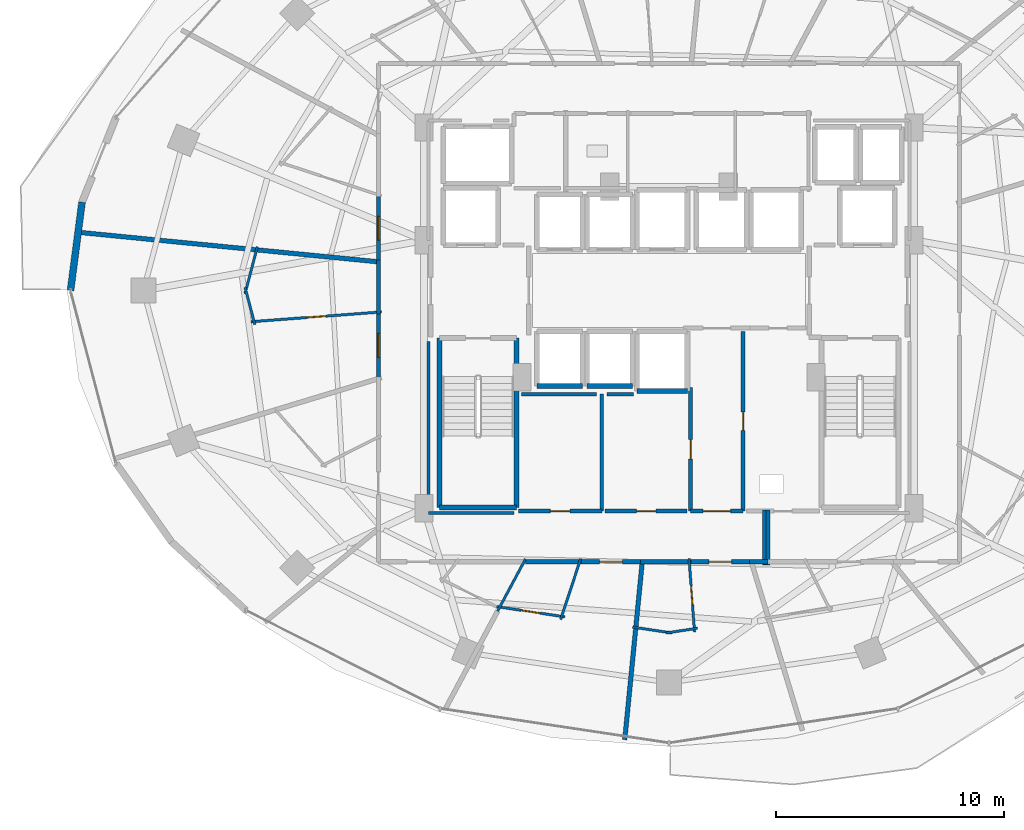
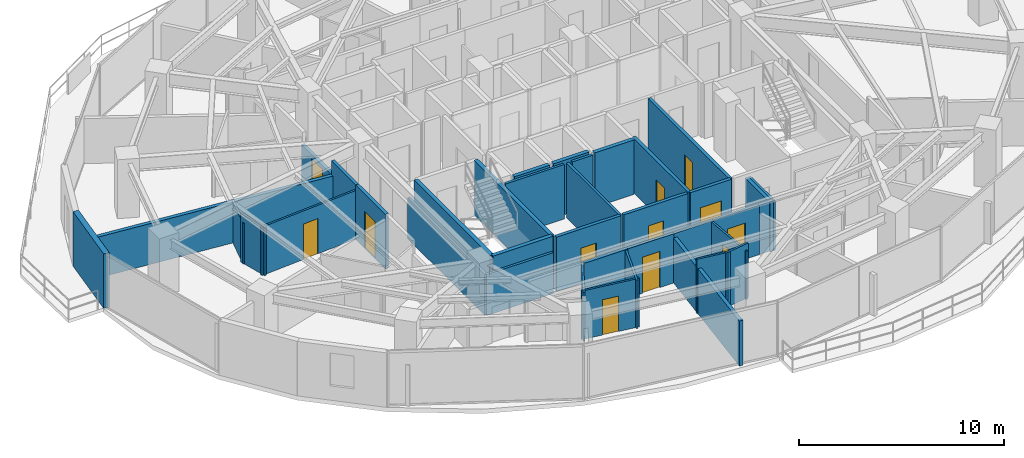
# One storey, part 21 of 29: 38 walls, 12 doors, 12 openings.
"""IFC4 building model written with IfcOpenShell, lengths in metres."""

from ifc_helpers import new_model, si_unit, direction, frame, frame_2d, origin, place, context, subcontext, project, spatial, rectangle, extrude, material, layer, layer_set, type_object, element, fill, save


model = new_model("IFC4")

# Units and contexts
model_context = context("Model", 3, precision=1e-05, world=origin(), true_north=direction((0.0, 1.0)))
body_context = subcontext(model_context, "Body", "Model", "MODEL_VIEW")
ifc_project = project(units=[si_unit("LENGTHUNIT", "METRE"), si_unit("AREAUNIT", "SQUARE_METRE"), si_unit("VOLUMEUNIT", "CUBIC_METRE"), si_unit("PLANEANGLEUNIT", "RADIAN"), si_unit("MASSUNIT", "GRAM", prefix="KILO")], contexts=[model_context])

# Site, building, storey
site_placement = place(None, origin())
site = spatial("IfcSite", under=ifc_project, at=site_placement, CompositionType="ELEMENT")
building_placement = place(site_placement, origin())
building = spatial("IfcBuilding", under=site, at=building_placement, Name="Vorneva Point Tower", CompositionType="ELEMENT")
storey_placement = place(building_placement, frame((0.0, 0.0, 113.800048828125)))
storey = spatial("IfcBuildingStorey", under=building, at=storey_placement, Name="L30", CompositionType="ELEMENT", Elevation=113.800048828125)

# Walls
ifc_material_1 = material(Name="Precast concrete B50 (C40/50)", Category="concrete")
ifc_layer_1 = layer(ifc_material_1, 0.300048828125)
ifc_layer_set_1 = layer_set([ifc_layer_1], Name="Precast concrete B50 (C40/50)")
wall_type_1 = type_object("IfcWallType", Name="WL-EXT-300", PredefinedType="STANDARD", material=ifc_layer_set_1)
wall_1_placement = place(storey_placement, frame((12.25439453125, 29.87255859375, 0.0), z_axis=(0.0, 0.0, 1.0), x_axis=(-0.129157444793, -0.991624099372, 0.0)))
element("IfcWall", 1, at=wall_1_placement, inside=storey, type_object=wall_type_1, Name="L30 Pale-Metal Facade Spandrel Wall 08.2", PredefinedType="STANDARD", context=body_context, shape_type="SweptSolid", body=[
    extrude(rectangle(XDim=3.9052734375, YDim=0.300048828125, at=frame_2d((1.95263671875, 0.0))), origin(), (0.0, 0.0, 1.0), 3.239990234375),
])
ifc_material_2 = material(Name="Fire-rated acoustic gypsum stud partition", Category="gypsum")
ifc_layer_2 = layer(ifc_material_2, 0.110107421875)
ifc_layer_set_2 = layer_set([ifc_layer_2], Name="Fire-rated acoustic gypsum stud partition")
wall_type_2 = type_object("IfcWallType", Name="WL-PART-110", PredefinedType="PARTITIONING", material=ifc_layer_set_2)
wall_2_placement = place(storey_placement, frame((19.83349609375, 24.503662109375, 0.0), z_axis=(0.0, 0.0, 1.0), x_axis=(-0.254365100164, 0.967108264787, 0.0)))
element("IfcWall", 2, at=wall_2_placement, inside=storey, type_object=wall_type_2, Name="L30 Interior Partition 085", PredefinedType="PARTITIONING", context=body_context, shape_type="SweptSolid", body=[
    extrude(rectangle(XDim=1.687255859375, YDim=0.110107421875, at=frame_2d((0.84375, 0.0))), origin(), (0.0, 0.0, 1.0), 2.885986328125),
])
wall_3_placement = place(storey_placement, frame((19.404296875, 25.864501953125, 0.0), z_axis=(0.0, 0.0, 1.0), x_axis=(0.254504620934, 0.967071557809, 0.0)))
element("IfcWall", 3, at=wall_3_placement, inside=storey, type_object=wall_type_2, Name="L30 Interior Partition 086", PredefinedType="PARTITIONING", context=body_context, shape_type="SweptSolid", body=[
    extrude(rectangle(XDim=2.122802734375, YDim=0.110107421875, at=frame_2d((1.0615234375, 0.0))), origin(), (0.0, 0.0, 1.0), 2.431884765625),
])

# Wall, opening, door
wall_4_placement = place(storey_placement, frame((25.3896484375, 25.057373046875, 0.0), z_axis=(0.0, 0.0, 1.0), x_axis=(-0.997213943518, -0.074594576563, 0.0)))
wall_4 = element("IfcWall", 4, at=wall_4_placement, inside=storey, type_object=wall_type_2, Name="L30 Interior Partition 087", PredefinedType="PARTITIONING", context=body_context, shape_type="SweptSolid", body=[
    extrude(rectangle(XDim=5.747314453125, YDim=0.110107421875, at=frame_2d((2.87353515625, 0.0))), origin(), (0.0, 0.0, 1.0), 2.885986328125),
])
opening_1_placement = place(wall_4_placement, frame((2.448486328125, 0.0, 0.0)))
opening_1 = element("IfcOpeningElement", 5, at=opening_1_placement, cuts=wall_4, Name="Opening ID-02", PredefinedType="OPENING", context=body_context, shape_type="SweptSolid", body=[
    extrude(rectangle(XDim=0.85009765625, YDim=2.10009765625, at=frame_2d((0.425048828125, 1.050048828125))), frame((0.0, 0.06982421875, 0.0), z_axis=(0.0, -1.0, 0.0), x_axis=(1.0, 0.0, 0.0)), (0.0, 0.0, 1.0), 0.139892578125),
])
ifc_material_3 = material(Name="Engineered oak fire-rated door leaf", Category="wood")
door_type_1 = type_object("IfcDoorType", Name="DR-BATH-850", OperationType="NOTDEFINED", PredefinedType="DOOR", material=ifc_material_3)
door_1_placement = place(opening_1_placement, origin())
door_1 = element("IfcDoor", 6, at=door_1_placement, inside=storey, type_object=door_type_1, Name="L30 Door Junior Suite L30-08 / En-Suite Bathroom L30-08", OperationType="SINGLE_SWING_RIGHT", OverallHeight=2.10009765625, OverallWidth=0.85009765625, PredefinedType="DOOR", context=body_context, shape_type="SweptSolid", body=[
    extrude(rectangle(XDim=0.85009765625, YDim=2.10009765625, at=frame_2d((0.425048828125, 1.050048828125))), frame((0.0, 0.02490234375, 0.0), z_axis=(0.0, -1.0, 0.0), x_axis=(1.0, 0.0, 0.0)), (0.0, 0.0, 1.0), 0.050048828125),
])
fill(opening_1, door_1)

# Wall
wall_5_placement = place(storey_placement, frame((30.48095703125, 11.93359375, 0.0), z_axis=(0.0, 0.0, 1.0), x_axis=(0.471456709401, 0.881889205718, 0.0)))
element("IfcWall", 7, at=wall_5_placement, inside=storey, type_object=wall_type_2, Name="L30 Interior Partition 095", PredefinedType="PARTITIONING", context=body_context, shape_type="SweptSolid", body=[
    extrude(rectangle(XDim=2.596435546875, YDim=0.110107421875, at=frame_2d((1.29833984375, 0.0))), origin(), (0.0, 0.0, 1.0), 2.885986328125),
])

# Wall, opening, door
wall_6_placement = place(storey_placement, frame((33.431396484375, 11.68310546875, 0.0), z_axis=(0.0, 0.0, 1.0), x_axis=(-0.988849795555, 0.148916358508, 0.0)))
wall_6 = element("IfcWall", 8, at=wall_6_placement, inside=storey, type_object=wall_type_2, Name="L30 Interior Partition 097", PredefinedType="PARTITIONING", context=body_context, shape_type="SweptSolid", body=[
    extrude(rectangle(XDim=3.0263671875, YDim=0.110107421875, at=frame_2d((1.51318359375, 0.0))), origin(), (0.0, 0.0, 1.0), 2.885986328125),
])
opening_2_placement = place(wall_6_placement, frame((1.08837890625, 0.0, 0.0)))
opening_2 = element("IfcOpeningElement", 9, at=opening_2_placement, cuts=wall_6, Name="Opening ID-02", PredefinedType="OPENING", context=body_context, shape_type="SweptSolid", body=[
    extrude(rectangle(XDim=0.85009765625, YDim=2.10009765625, at=frame_2d((0.425048828125, 1.050048828125))), frame((0.0, 0.06982421875, 0.0), z_axis=(0.0, -1.0, 0.0), x_axis=(1.0, 0.0, 0.0)), (0.0, 0.0, 1.0), 0.139892578125),
])
door_2_placement = place(opening_2_placement, origin())
door_2 = element("IfcDoor", 10, at=door_2_placement, inside=storey, type_object=door_type_1, Name="L30 Door Deluxe Guest Room L30-11 / En-Suite Bathroom L30-11", OperationType="SINGLE_SWING_LEFT", OverallHeight=2.10009765625, OverallWidth=0.85009765625, PredefinedType="DOOR", context=body_context, shape_type="SweptSolid", body=[
    extrude(rectangle(XDim=0.85009765625, YDim=2.10009765625, at=frame_2d((0.425048828125, 1.050048828125))), frame((0.0, 0.02490234375, 0.0), z_axis=(0.0, -1.0, 0.0), x_axis=(1.0, 0.0, 0.0)), (0.0, 0.0, 1.0), 0.050048828125),
])
fill(opening_2, door_2)

# Walls
wall_7_placement = place(storey_placement, frame((34.125732421875, 14.23291015625, 0.0), z_axis=(0.0, 0.0, 1.0), x_axis=(-0.312749678962, -0.949835584882, 0.0)))
element("IfcWall", 11, at=wall_7_placement, inside=storey, type_object=wall_type_2, Name="L30 Interior Partition 098", PredefinedType="PARTITIONING", context=body_context, shape_type="SweptSolid", body=[
    extrude(rectangle(XDim=2.802490234375, YDim=0.110107421875, at=frame_2d((1.4013671875, 0.0))), origin(), (0.0, 0.0, 1.0), 2.885986328125),
])
wall_8_placement = place(storey_placement, frame((39.247314453125, 11.183837890625, 0.0), z_axis=(0.0, 0.0, 1.0), x_axis=(-0.988844156702, -0.148953797389, 0.0)))
element("IfcWall", 12, at=wall_8_placement, inside=storey, type_object=wall_type_2, Name="L30 Interior Partition 100", PredefinedType="PARTITIONING", context=body_context, shape_type="SweptSolid", body=[
    extrude(rectangle(XDim=1.4013671875, YDim=0.110107421875, at=frame_2d((0.70068359375, 0.0))), origin(), (0.0, 0.0, 1.0), 3.239990234375),
])
wall_9_placement = place(storey_placement, frame((38.138427734375, 10.97509765625, 0.0), z_axis=(0.0, 0.0, 1.0), x_axis=(-0.988868806461, 0.148790065554, 0.0)))
element("IfcWall", 13, at=wall_9_placement, inside=storey, type_object=wall_type_2, Name="L30 Interior Partition 101", PredefinedType="PARTITIONING", context=body_context, shape_type="SweptSolid", body=[
    extrude(rectangle(XDim=1.75244140625, YDim=0.110107421875, at=frame_2d((0.876220703125, 0.0))), origin(), (0.0, 0.0, 1.0), 3.239990234375),
])

# Wall, opening, door
wall_10_placement = place(storey_placement, frame((38.879638671875, 14.239501953125, 0.0), z_axis=(0.0, 0.0, 1.0), x_axis=(0.074340146514, -0.997232943006, 0.0)))
wall_10 = element("IfcWall", 14, at=wall_10_placement, inside=storey, type_object=wall_type_2, Name="L30 Interior Partition 102", PredefinedType="PARTITIONING", context=body_context, shape_type="SweptSolid", body=[
    extrude(rectangle(XDim=3.22509765625, YDim=0.110107421875, at=frame_2d((1.612548828125, 0.0))), origin(), (0.0, 0.0, 1.0), 2.885986328125),
])
opening_3_placement = place(wall_10_placement, frame((1.1875, 0.0, 0.0)))
opening_3 = element("IfcOpeningElement", 15, at=opening_3_placement, cuts=wall_10, Name="Opening ID-02", PredefinedType="OPENING", context=body_context, shape_type="SweptSolid", body=[
    extrude(rectangle(XDim=0.85009765625, YDim=2.10009765625, at=frame_2d((0.425048828125, 1.050048828125))), frame((0.0, 0.06982421875, 0.0), z_axis=(0.0, -1.0, 0.0), x_axis=(1.0, 0.0, 0.0)), (0.0, 0.0, 1.0), 0.139892578125),
])
door_3_placement = place(opening_3_placement, origin())
door_3 = element("IfcDoor", 16, at=door_3_placement, inside=storey, type_object=door_type_1, Name="L30 Door King Guest Room L30-12 / En-Suite Bathroom L30-12", OperationType="SINGLE_SWING_RIGHT", OverallHeight=2.10009765625, OverallWidth=0.85009765625, PredefinedType="DOOR", context=body_context, shape_type="SweptSolid", body=[
    extrude(rectangle(XDim=0.85009765625, YDim=2.10009765625, at=frame_2d((0.425048828125, 1.050048828125))), frame((0.0, 0.02490234375, 0.0), z_axis=(0.0, -1.0, 0.0), x_axis=(1.0, 0.0, 0.0)), (0.0, 0.0, 1.0), 0.050048828125),
])
fill(opening_3, door_3)

# Walls
ifc_layer_3 = layer(ifc_material_2, 0.139892578125)
ifc_layer_set_3 = layer_set([ifc_layer_3], Name="Fire-rated acoustic gypsum stud partition")
wall_type_3 = type_object("IfcWallType", Name="WL-PART-140", PredefinedType="PARTITIONING", material=ifc_layer_set_3)
wall_11_placement = place(storey_placement, frame((35.050048828125, 16.320068359375, 0.0), z_axis=(0.0, 0.0, 1.0), x_axis=(0.0, 1.0, 0.0)))
element("IfcWall", 17, at=wall_11_placement, inside=storey, type_object=wall_type_3, Name="L30 Interior Partition 021", PredefinedType="PARTITIONING", context=body_context, shape_type="SweptSolid", body=[
    extrude(rectangle(XDim=5.1298828125, YDim=0.139892578125, at=frame_2d((2.56494140625, 0.0))), origin(), (0.0, 0.0, 1.0), 3.239990234375),
])
wall_12_placement = place(storey_placement, frame((34.830078125, 21.449951171875, 0.0), z_axis=(0.0, 0.0, 1.0), x_axis=(-1.0, 0.0, 0.0)))
element("IfcWall", 18, at=wall_12_placement, inside=storey, type_object=wall_type_3, Name="L30 Interior Closure Partition 118", PredefinedType="PARTITIONING", context=body_context, shape_type="SweptSolid", body=[
    extrude(rectangle(XDim=3.300048828125, YDim=0.139892578125, at=frame_2d((1.64990234375, 0.0))), origin(), (0.0, 0.0, 1.0), 3.239990234375),
])
wall_13_placement = place(storey_placement, frame((36.43896484375, 21.449951171875, 0.0), z_axis=(0.0, 0.0, 1.0), x_axis=(-1.0, 0.0, 0.0)))
element("IfcWall", 19, at=wall_13_placement, inside=storey, type_object=wall_type_3, Name="L30 Interior Closure Partition 119", PredefinedType="PARTITIONING", context=body_context, shape_type="SweptSolid", body=[
    extrude(rectangle(XDim=1.158935546875, YDim=0.139892578125, at=frame_2d((0.57958984375, 0.0))), origin(), (0.0, 0.0, 1.0), 3.239990234375),
])
wall_14_placement = place(storey_placement, frame((31.195068359375, 16.239990234375, 0.0), z_axis=(0.0, 0.0, 1.0), x_axis=(-1.0, 0.0, 0.0)))
element("IfcWall", 20, at=wall_14_placement, inside=storey, type_object=wall_type_3, Name="L30 Interior Closure Partition 124", PredefinedType="PARTITIONING", context=body_context, shape_type="SweptSolid", body=[
    extrude(rectangle(XDim=3.7451171875, YDim=0.139892578125, at=frame_2d((1.87255859375, 0.0))), origin(), (0.0, 0.0, 1.0), 2.431884765625),
])
wall_15_placement = place(storey_placement, frame((27.449951171875, 16.239990234375, 0.0), z_axis=(0.0, 0.0, 1.0), x_axis=(0.0, 1.0, 0.0)))
element("IfcWall", 21, at=wall_15_placement, inside=storey, type_object=wall_type_3, Name="L30 Interior Closure Partition 125", PredefinedType="PARTITIONING", context=body_context, shape_type="SweptSolid", body=[
    extrude(rectangle(XDim=7.513916015625, YDim=0.139892578125, at=frame_2d((3.7568359375, 0.0))), origin(), (0.0, 0.0, 1.0), 2.431884765625),
])

# Wall, opening, door
ifc_material_4 = material(Name="Autoclaved aerated concrete blockwork", Category="masonry")
ifc_layer_4 = layer(ifc_material_4, 0.179931640625)
ifc_layer_set_4 = layer_set([ifc_layer_4], Name="Autoclaved aerated concrete blockwork")
wall_type_4 = type_object("IfcWallType", Name="WL-PART-180", PredefinedType="PARTITIONING", material=ifc_layer_set_4)
wall_16_placement = place(storey_placement, frame((41.25, 16.320068359375, 0.0), z_axis=(0.0, 0.0, 1.0), x_axis=(0.0, 1.0, 0.0)))
wall_16 = element("IfcWall", 22, at=wall_16_placement, inside=storey, type_object=wall_type_4, Name="L30 Interior Partition 011", PredefinedType="PARTITIONING", context=body_context, shape_type="SweptSolid", body=[
    extrude(rectangle(XDim=7.8798828125, YDim=0.179931640625, at=frame_2d((3.93994140625, 0.0))), origin(), (0.0, 0.0, 1.0), 3.239990234375),
])
opening_4_placement = place(wall_16_placement, frame((3.5400390625, 0.0, 0.0)))
opening_4 = element("IfcOpeningElement", 23, at=opening_4_placement, cuts=wall_16, Name="Opening RD-01", PredefinedType="OPENING", context=body_context, shape_type="SweptSolid", body=[
    extrude(rectangle(XDim=0.800048828125, YDim=2.050048828125, at=frame_2d((0.39990234375, 1.02490234375))), frame((0.0, 0.10498046875, 0.0), z_axis=(0.0, -1.0, 0.0), x_axis=(1.0, 0.0, 0.0)), (0.0, 0.0, 1.0), 0.209716796875),
])
ifc_material_5 = material(Name="Fire-rated powder-coated steel", Category="steel")
door_type_2 = type_object("IfcDoorType", Name="DR-RSR-800", OperationType="SINGLE_SWING_LEFT", PredefinedType="DOOR", material=ifc_material_5)
door_4_placement = place(opening_4_placement, origin())
door_4 = element("IfcDoor", 24, at=door_4_placement, inside=storey, type_object=door_type_2, Name="L30 Door Core Service Lobby / Electrical Riser", OperationType="SINGLE_SWING_LEFT", OverallHeight=2.050048828125, OverallWidth=0.800048828125, PredefinedType="DOOR", context=body_context, shape_type="SweptSolid", body=[
    extrude(rectangle(XDim=0.800048828125, YDim=2.050048828125, at=frame_2d((0.39990234375, 1.02490234375))), frame((0.0, 0.02490234375, 0.0), z_axis=(0.0, -1.0, 0.0), x_axis=(1.0, 0.0, 0.0)), (0.0, 0.0, 1.0), 0.050048828125),
])
fill(opening_4, door_4)

wall_17_placement = place(storey_placement, frame((38.949951171875, 21.7548828125, 0.0), z_axis=(0.0, 0.0, 1.0), x_axis=(0.0, -1.0, 0.0)))
wall_17 = element("IfcWall", 25, at=wall_17_placement, inside=storey, type_object=wall_type_4, Name="L30 Interior Partition 012", PredefinedType="PARTITIONING", context=body_context, shape_type="SweptSolid", body=[
    extrude(rectangle(XDim=5.434814453125, YDim=0.179931640625, at=frame_2d((2.71728515625, 0.0))), origin(), (0.0, 0.0, 1.0), 3.239990234375),
])
opening_5_placement = place(wall_17_placement, frame((2.29248046875, 0.0, 0.0)))
opening_5 = element("IfcOpeningElement", 26, at=opening_5_placement, cuts=wall_17, Name="Opening ID-02", PredefinedType="OPENING", context=body_context, shape_type="SweptSolid", body=[
    extrude(rectangle(XDim=0.85009765625, YDim=2.10009765625, at=frame_2d((0.425048828125, 1.050048828125))), frame((0.0, 0.10498046875, 0.0), z_axis=(0.0, -1.0, 0.0), x_axis=(1.0, 0.0, 0.0)), (0.0, 0.0, 1.0), 0.209716796875),
])
door_5_placement = place(opening_5_placement, origin())
door_5 = element("IfcDoor", 27, at=door_5_placement, inside=storey, type_object=door_type_1, Name="L30 Door Core Service Lobby / Linen Store", OperationType="SINGLE_SWING_RIGHT", OverallHeight=2.10009765625, OverallWidth=0.85009765625, PredefinedType="DOOR", context=body_context, shape_type="SweptSolid", body=[
    extrude(rectangle(XDim=0.85009765625, YDim=2.10009765625, at=frame_2d((0.425048828125, 1.050048828125))), frame((0.0, 0.02490234375, 0.0), z_axis=(0.0, -1.0, 0.0), x_axis=(1.0, 0.0, 0.0)), (0.0, 0.0, 1.0), 0.050048828125),
])
fill(opening_5, door_5)

wall_18_placement = place(storey_placement, frame((38.949951171875, 16.320068359375, 0.0), z_axis=(0.0, 0.0, 1.0), x_axis=(1.0, 0.0, 0.0)))
wall_18 = element("IfcWall", 28, at=wall_18_placement, inside=storey, type_object=wall_type_4, Name="L30 Interior Partition 013", PredefinedType="PARTITIONING", context=body_context, shape_type="SweptSolid", body=[
    extrude(rectangle(XDim=2.300048828125, YDim=0.179931640625, at=frame_2d((1.14990234375, 0.0))), origin(), (0.0, 0.0, 1.0), 3.239990234375),
])
opening_6_placement = place(wall_18_placement, frame((0.550048828125, 0.0, 0.0)))
opening_6 = element("IfcOpeningElement", 29, at=opening_6_placement, cuts=wall_18, Name="Opening FD-02", PredefinedType="OPENING", context=body_context, shape_type="SweptSolid", body=[
    extrude(rectangle(XDim=1.199951171875, YDim=2.14990234375, at=frame_2d((0.60009765625, 1.074951171875))), frame((0.0, 0.10498046875, 0.0), z_axis=(0.0, -1.0, 0.0), x_axis=(1.0, 0.0, 0.0)), (0.0, 0.0, 1.0), 0.209716796875),
])
door_type_3 = type_object("IfcDoorType", Name="DR-FFL-1200", OperationType="NOTDEFINED", PredefinedType="DOOR", material=ifc_material_5)
door_6_placement = place(opening_6_placement, origin())
door_6 = element("IfcDoor", 30, at=door_6_placement, inside=storey, type_object=door_type_3, Name="L30 Door Core Service Lobby / L30 Circulation Corridor", OperationType="SINGLE_SWING_LEFT", OverallHeight=2.14990234375, OverallWidth=1.199951171875, PredefinedType="DOOR", context=body_context, shape_type="SweptSolid", body=[
    extrude(rectangle(XDim=1.199951171875, YDim=2.14990234375, at=frame_2d((0.60009765625, 1.074951171875))), frame((0.0, 0.02490234375, 0.0), z_axis=(0.0, -1.0, 0.0), x_axis=(1.0, 0.0, 0.0)), (0.0, 0.0, 1.0), 0.050048828125),
])
fill(opening_6, door_6)

wall_19_placement = place(storey_placement, frame((31.39990234375, 16.320068359375, 0.0), z_axis=(0.0, 0.0, 1.0), x_axis=(1.0, 0.0, 0.0)))
wall_19 = element("IfcWall", 31, at=wall_19_placement, inside=storey, type_object=wall_type_4, Name="L30 Interior Partition 022", PredefinedType="PARTITIONING", context=body_context, shape_type="SweptSolid", body=[
    extrude(rectangle(XDim=3.650146484375, YDim=0.179931640625, at=frame_2d((1.8251953125, 0.0))), origin(), (0.0, 0.0, 1.0), 3.239990234375),
])
opening_7_placement = place(wall_19_placement, frame((1.39990234375, 0.0, 0.0)))
opening_7 = element("IfcOpeningElement", 32, at=opening_7_placement, cuts=wall_19, Name="Opening ID-02", PredefinedType="OPENING", context=body_context, shape_type="SweptSolid", body=[
    extrude(rectangle(XDim=0.85009765625, YDim=2.10009765625, at=frame_2d((0.425048828125, 1.050048828125))), frame((0.0, 0.10498046875, 0.0), z_axis=(0.0, -1.0, 0.0), x_axis=(1.0, 0.0, 0.0)), (0.0, 0.0, 1.0), 0.209716796875),
])
door_7_placement = place(opening_7_placement, origin())
door_7 = element("IfcDoor", 33, at=door_7_placement, inside=storey, type_object=door_type_1, Name="L30 Door Housekeeping Room / L30 Circulation Corridor", OperationType="SINGLE_SWING_RIGHT", OverallHeight=2.10009765625, OverallWidth=0.85009765625, PredefinedType="DOOR", context=body_context, shape_type="SweptSolid", body=[
    extrude(rectangle(XDim=0.85009765625, YDim=2.10009765625, at=frame_2d((0.425048828125, 1.050048828125))), frame((0.0, 0.02490234375, 0.0), z_axis=(0.0, -1.0, 0.0), x_axis=(1.0, 0.0, 0.0)), (0.0, 0.0, 1.0), 0.050048828125),
])
fill(opening_7, door_7)

wall_20_placement = place(storey_placement, frame((35.199951171875, 16.320068359375, 0.0), z_axis=(0.0, 0.0, 1.0), x_axis=(1.0, 0.0, 0.0)))
wall_20 = element("IfcWall", 34, at=wall_20_placement, inside=storey, type_object=wall_type_4, Name="L30 Interior Partition 023", PredefinedType="PARTITIONING", context=body_context, shape_type="SweptSolid", body=[
    extrude(rectangle(XDim=3.60009765625, YDim=0.179931640625, at=frame_2d((1.800048828125, 0.0))), origin(), (0.0, 0.0, 1.0), 3.239990234375),
])
opening_8_placement = place(wall_20_placement, frame((1.375, 0.0, 0.0)))
opening_8 = element("IfcOpeningElement", 35, at=opening_8_placement, cuts=wall_20, Name="Opening ID-02", PredefinedType="OPENING", context=body_context, shape_type="SweptSolid", body=[
    extrude(rectangle(XDim=0.85009765625, YDim=2.10009765625, at=frame_2d((0.425048828125, 1.050048828125))), frame((0.0, 0.10498046875, 0.0), z_axis=(0.0, -1.0, 0.0), x_axis=(1.0, 0.0, 0.0)), (0.0, 0.0, 1.0), 0.209716796875),
])
door_8_placement = place(opening_8_placement, origin())
door_8 = element("IfcDoor", 36, at=door_8_placement, inside=storey, type_object=door_type_1, Name="L30 Door Linen Store / L30 Circulation Corridor", OperationType="SINGLE_SWING_LEFT", OverallHeight=2.10009765625, OverallWidth=0.85009765625, PredefinedType="DOOR", context=body_context, shape_type="SweptSolid", body=[
    extrude(rectangle(XDim=0.85009765625, YDim=2.10009765625, at=frame_2d((0.425048828125, 1.050048828125))), frame((0.0, 0.02490234375, 0.0), z_axis=(0.0, -1.0, 0.0), x_axis=(1.0, 0.0, 0.0)), (0.0, 0.0, 1.0), 0.050048828125),
])
fill(opening_8, door_8)

wall_21_placement = place(storey_placement, frame((25.25, 30.260986328125, 0.0), z_axis=(0.0, 0.0, 1.0), x_axis=(0.0, -1.0, 0.0)))
wall_21 = element("IfcWall", 37, at=wall_21_placement, inside=storey, type_object=wall_type_4, Name="L30 Interior Partition 038", PredefinedType="PARTITIONING", context=body_context, shape_type="SweptSolid", body=[
    extrude(rectangle(XDim=3.06494140625, YDim=0.179931640625, at=frame_2d((1.532470703125, 0.0))), origin(), (0.0, 0.0, 1.0), 2.431884765625),
])
opening_9_placement = place(wall_21_placement, frame((1.007568359375, 0.0, 0.0)))
opening_9 = element("IfcOpeningElement", 38, at=opening_9_placement, cuts=wall_21, Name="Opening UD-02", PredefinedType="OPENING", context=body_context, shape_type="SweptSolid", body=[
    extrude(rectangle(XDim=1.050048828125, YDim=2.199951171875, at=frame_2d((0.52490234375, 1.10009765625))), frame((0.0, 0.10498046875, 0.0), z_axis=(0.0, -1.0, 0.0), x_axis=(1.0, 0.0, 0.0)), (0.0, 0.0, 1.0), 0.209716796875),
])
door_type_4 = type_object("IfcDoorType", Name="DR-SUITE-1050", OperationType="NOTDEFINED", PredefinedType="DOOR", material=ifc_material_3)
door_9_placement = place(opening_9_placement, origin())
door_9 = element("IfcDoor", 39, at=door_9_placement, inside=storey, type_object=door_type_4, Name="L30 Door L30 Circulation Corridor / Corner Suite L30-07", OperationType="SINGLE_SWING_RIGHT", OverallHeight=2.199951171875, OverallWidth=1.050048828125, PredefinedType="DOOR", context=body_context, shape_type="SweptSolid", body=[
    extrude(rectangle(XDim=1.050048828125, YDim=2.199951171875, at=frame_2d((0.52490234375, 1.10009765625))), frame((0.0, 0.02490234375, 0.0), z_axis=(0.0, -1.0, 0.0), x_axis=(1.0, 0.0, 0.0)), (0.0, 0.0, 1.0), 0.050048828125),
])
fill(opening_9, door_9)

wall_22_placement = place(storey_placement, frame((25.25, 25.10693359375, 0.0), z_axis=(0.0, 0.0, 1.0), x_axis=(0.0, -1.0, 0.0)))
wall_22 = element("IfcWall", 40, at=wall_22_placement, inside=storey, type_object=wall_type_4, Name="L30 Interior Partition 040", PredefinedType="PARTITIONING", context=body_context, shape_type="SweptSolid", body=[
    extrude(rectangle(XDim=3.037841796875, YDim=0.179931640625, at=frame_2d((1.51904296875, 0.0))), origin(), (0.0, 0.0, 1.0), 3.239990234375),
])
opening_10_placement = place(wall_22_placement, frame((0.993896484375, 0.0, 0.0)))
opening_10 = element("IfcOpeningElement", 41, at=opening_10_placement, cuts=wall_22, Name="Opening UD-02", PredefinedType="OPENING", context=body_context, shape_type="SweptSolid", body=[
    extrude(rectangle(XDim=1.050048828125, YDim=2.199951171875, at=frame_2d((0.52490234375, 1.10009765625))), frame((0.0, 0.10498046875, 0.0), z_axis=(0.0, -1.0, 0.0), x_axis=(1.0, 0.0, 0.0)), (0.0, 0.0, 1.0), 0.209716796875),
])
door_10_placement = place(opening_10_placement, origin())
door_10 = element("IfcDoor", 42, at=door_10_placement, inside=storey, type_object=door_type_4, Name="L30 Door L30 Circulation Corridor / Junior Suite L30-08", OperationType="SINGLE_SWING_LEFT", OverallHeight=2.199951171875, OverallWidth=1.050048828125, PredefinedType="DOOR", context=body_context, shape_type="SweptSolid", body=[
    extrude(rectangle(XDim=1.050048828125, YDim=2.199951171875, at=frame_2d((0.52490234375, 1.10009765625))), frame((0.0, 0.02490234375, 0.0), z_axis=(0.0, -1.0, 0.0), x_axis=(1.0, 0.0, 0.0)), (0.0, 0.0, 1.0), 0.050048828125),
])
fill(opening_10, door_10)

# Wall
wall_23_placement = place(storey_placement, frame((25.25, 27.3359375, 0.0), z_axis=(0.0, 0.0, 1.0), x_axis=(0.0, -1.0, 0.0)))
element("IfcWall", 43, at=wall_23_placement, inside=storey, type_object=wall_type_4, Name="L30 Interior Partition 041", PredefinedType="PARTITIONING", context=body_context, shape_type="SweptSolid", body=[
    extrude(rectangle(XDim=2.368896484375, YDim=0.179931640625, at=frame_2d((1.1845703125, 0.0))), origin(), (0.0, 0.0, 1.0), 3.239990234375),
])

# Wall, opening, door
wall_24_placement = place(storey_placement, frame((34.01904296875, 14.10009765625, 0.0), z_axis=(0.0, 0.0, 1.0), x_axis=(1.0, 0.0, 0.0)))
wall_24 = element("IfcWall", 44, at=wall_24_placement, inside=storey, type_object=wall_type_4, Name="L30 Interior Partition 047", PredefinedType="PARTITIONING", context=body_context, shape_type="SweptSolid", body=[
    extrude(rectangle(XDim=2.868896484375, YDim=0.179931640625, at=frame_2d((1.4345703125, 0.0))), origin(), (0.0, 0.0, 1.0), 2.928955078125),
])
opening_11_placement = place(wall_24_placement, frame((0.9345703125, 0.0, 0.0)))
opening_11 = element("IfcOpeningElement", 45, at=opening_11_placement, cuts=wall_24, Name="Opening UD-01", PredefinedType="OPENING", context=body_context, shape_type="SweptSolid", body=[
    extrude(rectangle(XDim=1.0, YDim=2.14990234375, at=frame_2d((0.5, 1.074951171875))), frame((0.0, 0.10498046875, 0.0), z_axis=(0.0, -1.0, 0.0), x_axis=(1.0, 0.0, 0.0)), (0.0, 0.0, 1.0), 0.209716796875),
])
door_type_5 = type_object("IfcDoorType", Name="DR-UNIT-1000", OperationType="NOTDEFINED", PredefinedType="DOOR", material=ifc_material_3)
door_11_placement = place(opening_11_placement, origin())
door_11 = element("IfcDoor", 46, at=door_11_placement, inside=storey, type_object=door_type_5, Name="L30 Door L30 Circulation Corridor / Deluxe Guest Room L30-11", OperationType="SINGLE_SWING_RIGHT", OverallHeight=2.14990234375, OverallWidth=1.0, PredefinedType="DOOR", context=body_context, shape_type="SweptSolid", body=[
    extrude(rectangle(XDim=1.0, YDim=2.14990234375, at=frame_2d((0.5, 1.074951171875))), frame((0.0, 0.02490234375, 0.0), z_axis=(0.0, -1.0, 0.0), x_axis=(1.0, 0.0, 0.0)), (0.0, 0.0, 1.0), 0.050048828125),
])
fill(opening_11, door_11)

# Wall
wall_25_placement = place(storey_placement, frame((31.698974609375, 14.10009765625, 0.0), z_axis=(0.0, 0.0, 1.0), x_axis=(1.0, 0.0, 0.0)))
element("IfcWall", 47, at=wall_25_placement, inside=storey, type_object=wall_type_4, Name="L30 Interior Partition 048", PredefinedType="PARTITIONING", context=body_context, shape_type="SweptSolid", body=[
    extrude(rectangle(XDim=2.4599609375, YDim=0.179931640625, at=frame_2d((1.22998046875, 0.0))), origin(), (0.0, 0.0, 1.0), 2.928955078125),
])

# Wall, opening, door
wall_26_placement = place(storey_placement, frame((38.830078125, 14.10009765625, 0.0), z_axis=(0.0, 0.0, 1.0), x_axis=(1.0, 0.0, 0.0)))
wall_26 = element("IfcWall", 48, at=wall_26_placement, inside=storey, type_object=wall_type_4, Name="L30 Interior Partition 049", PredefinedType="PARTITIONING", context=body_context, shape_type="SweptSolid", body=[
    extrude(rectangle(XDim=2.843017578125, YDim=0.179931640625, at=frame_2d((1.42138671875, 0.0))), origin(), (0.0, 0.0, 1.0), 2.928955078125),
])
opening_12_placement = place(wall_26_placement, frame((0.92138671875, 0.0, 0.0)))
opening_12 = element("IfcOpeningElement", 49, at=opening_12_placement, cuts=wall_26, Name="Opening UD-01", PredefinedType="OPENING", context=body_context, shape_type="SweptSolid", body=[
    extrude(rectangle(XDim=1.0, YDim=2.14990234375, at=frame_2d((0.5, 1.074951171875))), frame((0.0, 0.10498046875, 0.0), z_axis=(0.0, -1.0, 0.0), x_axis=(1.0, 0.0, 0.0)), (0.0, 0.0, 1.0), 0.209716796875),
])
door_12_placement = place(opening_12_placement, origin())
door_12 = element("IfcDoor", 50, at=door_12_placement, inside=storey, type_object=door_type_5, Name="L30 Door L30 Circulation Corridor / King Guest Room L30-12", OperationType="SINGLE_SWING_LEFT", OverallHeight=2.14990234375, OverallWidth=1.0, PredefinedType="DOOR", context=body_context, shape_type="SweptSolid", body=[
    extrude(rectangle(XDim=1.0, YDim=2.14990234375, at=frame_2d((0.5, 1.074951171875))), frame((0.0, 0.02490234375, 0.0), z_axis=(0.0, -1.0, 0.0), x_axis=(1.0, 0.0, 0.0)), (0.0, 0.0, 1.0), 0.050048828125),
])
fill(opening_12, door_12)

# Walls
wall_27_placement = place(storey_placement, frame((36.748046875, 14.10009765625, 0.0), z_axis=(0.0, 0.0, 1.0), x_axis=(1.0, 0.0, 0.0)))
element("IfcWall", 51, at=wall_27_placement, inside=storey, type_object=wall_type_4, Name="L30 Interior Partition 050", PredefinedType="PARTITIONING", context=body_context, shape_type="SweptSolid", body=[
    extrude(rectangle(XDim=2.221923828125, YDim=0.179931640625, at=frame_2d((1.11083984375, 0.0))), origin(), (0.0, 0.0, 1.0), 2.928955078125),
])
wall_28_placement = place(storey_placement, frame((42.340087890625, 16.3798828125, 0.0), z_axis=(0.0, 0.0, 1.0), x_axis=(0.0, -1.0, 0.0)))
element("IfcWall", 52, at=wall_28_placement, inside=storey, type_object=wall_type_4, Name="L30 Interior Partition 052", PredefinedType="PARTITIONING", context=body_context, shape_type="SweptSolid", body=[
    extrude(rectangle(XDim=2.419921875, YDim=0.179931640625, at=frame_2d((1.2099609375, 0.0))), origin(), (0.0, 0.0, 1.0), 2.928955078125),
])
wall_29_placement = place(storey_placement, frame((41.532958984375, 14.10009765625, 0.0), z_axis=(0.0, 0.0, 1.0), x_axis=(1.0, 0.0, 0.0)))
element("IfcWall", 53, at=wall_29_placement, inside=storey, type_object=wall_type_4, Name="L30 Interior Partition 054", PredefinedType="PARTITIONING", context=body_context, shape_type="SweptSolid", body=[
    extrude(rectangle(XDim=0.80712890625, YDim=0.179931640625, at=frame_2d((0.403564453125, 0.0))), origin(), (0.0, 0.0, 1.0), 2.928955078125),
])
wall_30_placement = place(storey_placement, frame((42.199951171875, 13.9599609375, 0.0), z_axis=(0.0, 0.0, 1.0), x_axis=(0.0, 1.0, 0.0)))
element("IfcWall", 54, at=wall_30_placement, inside=storey, type_object=wall_type_4, Name="L30 Interior Partition 055", PredefinedType="PARTITIONING", context=body_context, shape_type="SweptSolid", body=[
    extrude(rectangle(XDim=2.419921875, YDim=0.179931640625, at=frame_2d((1.2099609375, 0.0))), origin(), (0.0, 0.0, 1.0), 2.928955078125),
])
ifc_layer_5 = layer(ifc_material_4, 0.199951171875)
ifc_layer_set_5 = layer_set([ifc_layer_5], Name="Autoclaved aerated concrete blockwork")
wall_type_5 = type_object("IfcWallType", Name="WL-PART-200", PredefinedType="PARTITIONING", material=ifc_layer_set_5)
wall_31_placement = place(storey_placement, frame((12.0830078125, 28.552978515625, 0.0), z_axis=(0.0, 0.0, 1.0), x_axis=(0.995184435733, -0.098020094241, 0.0)))
element("IfcWall", 55, at=wall_31_placement, inside=storey, type_object=wall_type_5, Name="L30 Interior Partition 084", PredefinedType="PARTITIONING", context=body_context, shape_type="SweptSolid", body=[
    extrude(rectangle(XDim=13.230712890625, YDim=0.199951171875, at=frame_2d((6.615234375, 0.0))), origin(), (0.0, 0.0, 1.0), 2.431884765625),
])
wall_32_placement = place(storey_placement, frame((36.05908203125, 6.294921875, 0.0), z_axis=(0.0, 0.0, 1.0), x_axis=(0.098024226043, 0.995184028765, 0.0)))
element("IfcWall", 56, at=wall_32_placement, inside=storey, type_object=wall_type_5, Name="L30 Interior Partition 099", PredefinedType="PARTITIONING", context=body_context, shape_type="SweptSolid", body=[
    extrude(rectangle(XDim=7.843017578125, YDim=0.199951171875, at=frame_2d((3.92138671875, 0.0))), origin(), (0.0, 0.0, 1.0), 2.677001953125),
])
ifc_material_6 = material(Name="Concrete B50 (C40/50)", Category="concrete")
ifc_layer_6 = layer(ifc_material_6, 0.219970703125)
ifc_layer_set_6 = layer_set([ifc_layer_6], Name="Concrete B50 (C40/50)")
wall_type_6 = type_object("IfcWallType", Name="WL-SHFT-220", PredefinedType="SOLIDWALL", material=ifc_layer_set_6)
wall_33_placement = place(storey_placement, frame((31.31005859375, 23.909912109375, 0.0), z_axis=(0.0, 0.0, 1.0), x_axis=(0.0, -1.0, 0.0)))
element("IfcWall", 57, at=wall_33_placement, inside=storey, type_object=wall_type_6, Name="L30 Exit Stair ST1 Shaft Wall right", PredefinedType="SOLIDWALL", context=body_context, shape_type="SweptSolid", body=[
    extrude(rectangle(XDim=7.419921875, YDim=0.219970703125, at=frame_2d((3.7099609375, 0.0))), origin(), (0.0, 0.0, 1.0), 3.239990234375),
])
wall_34_placement = place(storey_placement, frame((31.31005859375, 16.489990234375, 0.0), z_axis=(0.0, 0.0, 1.0), x_axis=(-1.0, 0.0, 0.0)))
element("IfcWall", 58, at=wall_34_placement, inside=storey, type_object=wall_type_6, Name="L30 Exit Stair ST1 Shaft Wall far", PredefinedType="SOLIDWALL", context=body_context, shape_type="SweptSolid", body=[
    extrude(rectangle(XDim=3.3701171875, YDim=0.219970703125, at=frame_2d((1.68505859375, 0.0))), origin(), (0.0, 0.0, 1.0), 3.239990234375),
])
wall_35_placement = place(storey_placement, frame((27.93994140625, 16.489990234375, 0.0), z_axis=(0.0, 0.0, 1.0), x_axis=(0.0, 1.0, 0.0)))
element("IfcWall", 59, at=wall_35_placement, inside=storey, type_object=wall_type_6, Name="L30 Exit Stair ST1 Shaft Wall left", PredefinedType="SOLIDWALL", context=body_context, shape_type="SweptSolid", body=[
    extrude(rectangle(XDim=7.419921875, YDim=0.219970703125, at=frame_2d((3.7099609375, 0.0))), origin(), (0.0, 0.0, 1.0), 3.239990234375),
])
for number, where, z_axis, x_axis, name in (
    (60, (32.199951171875, 21.800048828125, 0.0), (0.0, 0.0, 1.0), (1.0, 0.0, 0.0), "L30 Lift PL4 Shaft Wall -Y"),
    (61, (34.39990234375, 21.800048828125, 0.0), (0.0, 0.0, 1.0), (1.0, 0.0, 0.0), "L30 Lift PL5 Shaft Wall -Y"),
):
    element("IfcWall", number, at=place(storey_placement, frame(where, z_axis=z_axis, x_axis=x_axis)), inside=storey, type_object=wall_type_6, Name=name, PredefinedType="SOLIDWALL", context=body_context, shape_type="SweptSolid", body=[
        extrude(rectangle(XDim=2.0, YDim=0.219970703125, at=frame_2d((1.0, 0.0))), origin(), (0.0, 0.0, 1.0), 3.239990234375),
    ])
wall_36_placement = place(storey_placement, frame((36.60009765625, 21.60009765625, 0.0), z_axis=(0.0, 0.0, 1.0), x_axis=(1.0, 0.0, 0.0)))
element("IfcWall", 62, at=wall_36_placement, inside=storey, type_object=wall_type_6, Name="L30 Lift PL6 Shaft Wall -Y", PredefinedType="SOLIDWALL", context=body_context, shape_type="SweptSolid", body=[
    extrude(rectangle(XDim=2.199951171875, YDim=0.219970703125, at=frame_2d((1.10009765625, 0.0))), origin(), (0.0, 0.0, 1.0), 3.239990234375),
])

save(model, "model.ifc")
